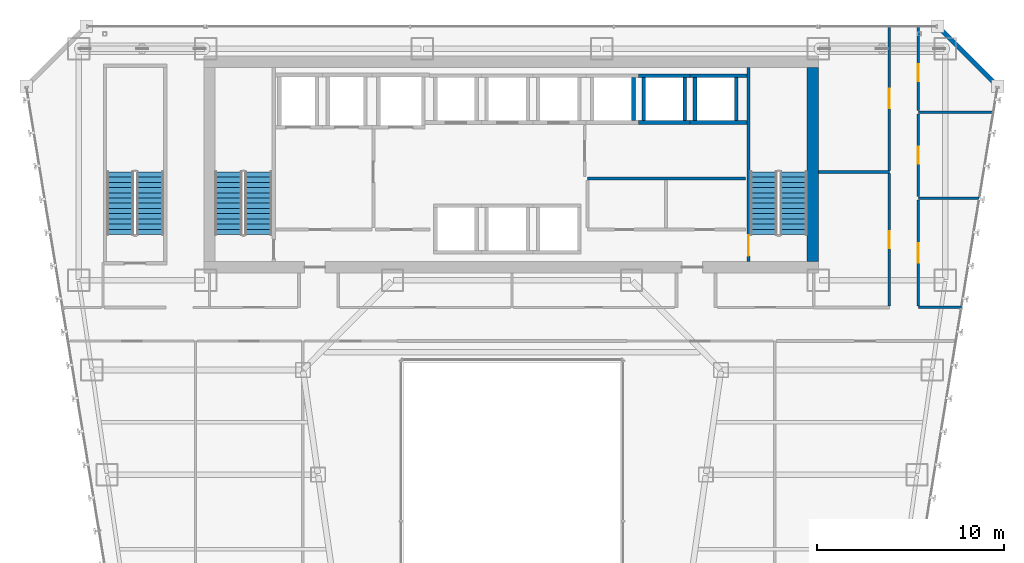
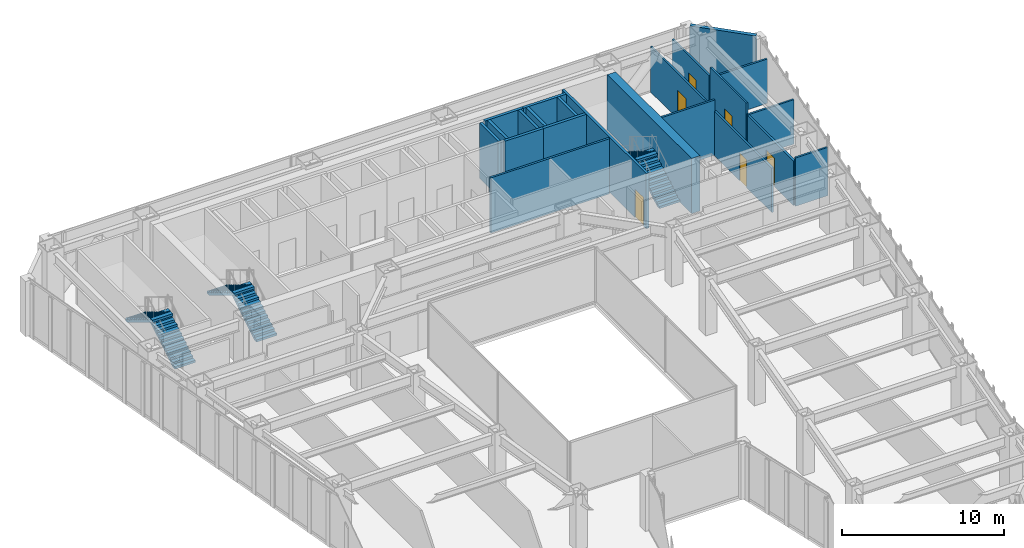
# One storey, part 38 of 47: 22 walls, 6 doors, 6 stair flights, 6 openings, 3 elements without a shape of their own.
"""IFC4 building model written with IfcOpenShell, lengths in metres."""

import ifcopenshell
import ifcopenshell.guid

model = None  # the IFC model being written
_history = None  # IfcOwnerHistory: only IFC2X3 demands one
_inside = {}  # id of a spatial element -> (the spatial element, [elements in it])
_under = {}  # id of a project, library or spatial element -> (it, [spatial elements below it])
_declared = {}  # id of a project -> (the project, [libraries it declares])
_typed = {}  # id of a type object -> (the type object, [elements of that type])
_made_of = {}  # id of a material, layer set ... -> (it, [elements and type objects made of it])


def new_model(schema):
    """Start an empty IFC model of exactly this schema.

    Asked for "IFC4X3", IfcOpenShell would pick the latest addendum, in which some entities
    have other attributes; the version numbers below select the first issue.
    IFC2X3 requires an IfcOwnerHistory on every rooted entity: one is made here for all.
    """
    global model, _history
    if schema == "IFC4X3":
        model = ifcopenshell.file(schema_version=(4, 3, 0, 0))
    else:
        model = ifcopenshell.file(schema=schema)
    _inside.clear()
    _under.clear()
    _declared.clear()
    _typed.clear()
    _made_of.clear()
    _history = None
    if model.schema == "IFC2X3":
        org = make("IfcOrganization", Name="unknown")
        user = make(
            "IfcPersonAndOrganization",
            ThePerson=make("IfcPerson", FamilyName="unknown"),
            TheOrganization=org,
        )
        app = make(
            "IfcApplication",
            ApplicationDeveloper=org,
            Version="unknown",
            ApplicationFullName="unknown",
            ApplicationIdentifier="unknown",
        )
        _history = make(
            "IfcOwnerHistory",
            OwningUser=user,
            OwningApplication=app,
            ChangeAction="ADDED",
            CreationDate=0,
        )
    return model


def make(cls, **values):
    """One entity of the class cls with the attributes given. An attribute that is None is left unset."""
    return model.create_entity(
        cls, **{name: value for name, value in values.items() if value is not None}
    )


def rooted(cls, **values):
    """An entity with a GlobalId (a new one), such as an element, a storey or a relation."""
    return make(cls, GlobalId=ifcopenshell.guid.new(), OwnerHistory=_history, **values)


def si_unit(unit_type, name, prefix=None):
    """IfcSIUnit, for example si_unit("LENGTHUNIT", "METRE", prefix="MILLI")."""
    return make("IfcSIUnit", UnitType=unit_type, Prefix=prefix, Name=name)


def assignment(units):
    """IfcUnitAssignment: the units of a project."""
    return None if units is None else make("IfcUnitAssignment", Units=units)


def point(xyz):
    """IfcCartesianPoint."""
    return None if xyz is None else make("IfcCartesianPoint", Coordinates=xyz)


def direction(xyz):
    """IfcDirection."""
    return None if xyz is None else make("IfcDirection", DirectionRatios=xyz)


def frame(location, z_axis=None, x_axis=None):
    """IfcAxis2Placement3D, a coordinate frame: its origin and axes. An axis left out is left unset."""
    return make(
        "IfcAxis2Placement3D",
        Location=point(location),
        Axis=direction(z_axis),
        RefDirection=direction(x_axis),
    )


def frame_2d(location, x_axis=None):
    """IfcAxis2Placement2D, a coordinate frame in the plane: its origin and x axis."""
    return make(
        "IfcAxis2Placement2D", Location=point(location), RefDirection=direction(x_axis)
    )


def origin():
    """The frame at (0, 0, 0) with its axes left unset."""
    return frame((0.0, 0.0, 0.0))


def place(relative_to, where):
    """IfcLocalPlacement: puts the frame where relative to a parent placement (None: the world)."""
    return make(
        "IfcLocalPlacement", PlacementRelTo=relative_to, RelativePlacement=where
    )


def context(
    kind, dimensions, precision=None, world=None, true_north=None, identifier=None
):
    """IfcGeometricRepresentationContext, for example the 3D "Model" context."""
    return make(
        "IfcGeometricRepresentationContext",
        ContextIdentifier=identifier,
        ContextType=kind,
        CoordinateSpaceDimension=dimensions,
        Precision=precision,
        WorldCoordinateSystem=world,
        TrueNorth=true_north,
    )


def subcontext(parent, identifier, kind, view, scale=None):
    """IfcGeometricRepresentationSubContext, for example "Body" below "Model"."""
    return make(
        "IfcGeometricRepresentationSubContext",
        ContextIdentifier=identifier,
        ContextType=kind,
        ParentContext=parent,
        TargetScale=scale,
        TargetView=view,
    )


def project(units=None, contexts=None):
    """IfcProject with its units and contexts."""
    return rooted(
        "IfcProject",
        Name="project",
        RepresentationContexts=contexts,
        UnitsInContext=assignment(units),
    )


def spatial(cls, under=None, at=None, **own):
    """A site, building, storey or space (cls), placed at a placement, below another one or the project."""
    s = rooted(cls, ObjectPlacement=at, **own)
    if under is not None:
        _under.setdefault(under.id(), (under, []))[1].append(s)
    return s


def polyline(points):
    """IfcPolyline through the points."""
    return make("IfcPolyline", Points=[point(p) for p in points])


def profile(cls, at=None, kind="AREA", **sizes):
    """A parametric profile (cls). Its sizes go by their IFC names, for example OverallWidth=200.0."""
    return make(cls, ProfileType=kind, Position=at, **sizes)


def rectangle(**sizes):
    """IfcRectangleProfileDef."""
    return profile("IfcRectangleProfileDef", **sizes)


def outline(outer, holes=None, kind="AREA"):
    """IfcArbitraryClosedProfileDef: a profile drawn as a closed curve; with holes, ...WithVoids."""
    if holes is None:
        return make("IfcArbitraryClosedProfileDef", ProfileType=kind, OuterCurve=outer)
    return make(
        "IfcArbitraryProfileDefWithVoids",
        ProfileType=kind,
        OuterCurve=outer,
        InnerCurves=holes,
    )


def extrude(swept, where, along, depth):
    """IfcExtrudedAreaSolid: the profile swept, set in the frame where, extruded along a direction by depth."""
    return make(
        "IfcExtrudedAreaSolid",
        SweptArea=swept,
        Position=where,
        ExtrudedDirection=direction(along),
        Depth=depth,
    )


def shape(context_of_items, identifier, shape_type, items):
    """IfcShapeRepresentation: the items that make up one representation, for example the "Body"."""
    return make(
        "IfcShapeRepresentation",
        ContextOfItems=context_of_items,
        RepresentationIdentifier=identifier,
        RepresentationType=shape_type,
        Items=items,
    )


def material(Name=None, Category=None):
    """IfcMaterial."""
    return make("IfcMaterial", Name=Name, Category=Category)


def layer(
    of_material, thickness, ventilated=None, Name=None, Category=None, Priority=None
):
    """IfcMaterialLayer: one layer of a wall or slab, of a material (None: an air gap)."""
    return make(
        "IfcMaterialLayer",
        Material=of_material,
        LayerThickness=thickness,
        IsVentilated=ventilated,
        Name=Name,
        Category=Category,
        Priority=Priority,
    )


def layer_set(layers, Name=None):
    """IfcMaterialLayerSet."""
    return make("IfcMaterialLayerSet", MaterialLayers=layers, LayerSetName=Name)


def made_of(thing, what):
    """Note that an element or type object is made of a material, layer set ...; save() writes the relation."""
    if what is not None:
        _made_of.setdefault(what.id(), (what, []))[1].append(thing)
    return thing


def type_object(cls, material=None, **own):
    """A type object (cls), such as IfcWallType, which elements share."""
    return made_of(rooted(cls, **own), material)


def element(
    cls,
    number,
    at=None,
    inside=None,
    cuts=None,
    type_object=None,
    material=None,
    context=None,
    identifier="Body",
    shape_type=None,
    held_by="IfcProductDefinitionShape",
    body=None,
    shapes=None,
    **own,
):
    """One element of the class cls, such as IfcWall. Its Tag is "e" and its number.

    at: its placement. inside: the storey or other place that contains it. cuts: it is an
    opening in that element (IfcRelVoidsElement). A single representation is given by context,
    identifier, shape_type and body (its items); several are given by shapes. held_by: the class
    of the entity that holds the representations. save() writes the other relations.
    """
    e = rooted(cls, Tag="e%d" % number, ObjectPlacement=at, **own)
    if body is not None:
        shapes = [shape(context, identifier, shape_type, body)]
    if shapes is not None:
        e.Representation = make(held_by, Representations=shapes)
    if inside is not None:
        _inside.setdefault(inside.id(), (inside, []))[1].append(e)
    if cuts is not None:
        rooted(
            "IfcRelVoidsElement", RelatingBuildingElement=cuts, RelatedOpeningElement=e
        )
    if type_object is not None:
        _typed.setdefault(type_object.id(), (type_object, []))[1].append(e)
    return made_of(e, material)


def fill(opening, filler):
    """IfcRelFillsElement: the door or window that sits in an opening."""
    return rooted(
        "IfcRelFillsElement",
        RelatingOpeningElement=opening,
        RelatedBuildingElement=filler,
    )


def aggregate(whole, parts):
    """IfcRelAggregates: a whole, such as a stair, and the parts it consists of."""
    return rooted("IfcRelAggregates", RelatingObject=whole, RelatedObjects=parts)


def save(model, path):
    """Write the relations noted so far, then the file.

    IfcRelAggregates (storeys below a building ...), IfcRelContainedInSpatialStructure (elements
    in a storey), IfcRelDefinesByType, IfcRelAssociatesMaterial and IfcRelDeclares: one each for
    every whole, place, type object, material and project.
    """
    for whole, parts in _under.values():
        aggregate(whole, parts)
    for where, things in _inside.values():
        rooted(
            "IfcRelContainedInSpatialStructure",
            RelatedElements=things,
            RelatingStructure=where,
        )
    for kind, things in _typed.values():
        rooted("IfcRelDefinesByType", RelatedObjects=things, RelatingType=kind)
    for what, things in _made_of.values():
        rooted("IfcRelAssociatesMaterial", RelatedObjects=things, RelatingMaterial=what)
    for by, libraries in _declared.values():
        rooted("IfcRelDeclares", RelatingContext=by, RelatedDefinitions=libraries)
    model.write(path)


model = new_model("IFC4")

# Units and contexts
model_context = context("Model", 3, precision=1e-05, world=origin(), true_north=direction((0.0, 1.0)))
body_context = subcontext(model_context, "Body", "Model", "MODEL_VIEW")
ifc_project = project(units=[si_unit("LENGTHUNIT", "METRE"), si_unit("AREAUNIT", "SQUARE_METRE"), si_unit("VOLUMEUNIT", "CUBIC_METRE"), si_unit("PLANEANGLEUNIT", "RADIAN"), si_unit("MASSUNIT", "GRAM", prefix="KILO")], contexts=[model_context])

# Site, building, storey
site_placement = place(None, origin())
site = spatial("IfcSite", under=ifc_project, at=site_placement, CompositionType="ELEMENT")
building_placement = place(site_placement, origin())
building = spatial("IfcBuilding", under=site, at=building_placement, Name="Saevonmaru Cultural Tower", CompositionType="ELEMENT")
storey_placement = place(building_placement, frame((0.0, 0.0, 51.60009765625)))
storey = spatial("IfcBuildingStorey", under=building, at=storey_placement, Name="L10", CompositionType="ELEMENT", Elevation=51.60009765625)

# Walls
ifc_material_1 = material(Name="Concrete C60/75", Category="concrete")
ifc_layer_1 = layer(ifc_material_1, 0.60009765625, Name="Concrete C60/75")
ifc_layer_set_1 = layer_set([ifc_layer_1], Name="Concrete C60/75")
wall_type_1 = type_object("IfcWallType", Name="WL-CORE-600", PredefinedType="SHEAR", material=ifc_layer_set_1)
wall_1_placement = place(storey_placement, frame((46.10009765625, 43.39990234375, 0.0), z_axis=(0.0, 0.0, 1.0), x_axis=(0.0, 1.0, 0.0)))
element("IfcWall", 1, at=wall_1_placement, inside=storey, type_object=wall_type_1, Name="L10 Tower RC core shear wall E", PredefinedType="SHEAR", context=body_context, shape_type="SweptSolid", body=[
    extrude(rectangle(XDim=10.400146484375, YDim=0.60009765625, at=frame_2d((5.2001953125, 0.0))), origin(), (0.0, 0.0, 1.0), 4.14990234375),
])
ifc_material_2 = material(Name="Gypsum Fireboard Partition", Category="gypsum")
ifc_layer_2 = layer(ifc_material_2, 0.14990234375, Name="Gypsum Fireboard Partition")
ifc_layer_set_2 = layer_set([ifc_layer_2], Name="Gypsum Fireboard Partition")
wall_type_2 = type_object("IfcWallType", Name="WL-CORE-PART-150", PredefinedType="PARTITIONING", material=ifc_layer_set_2)
wall_2_placement = place(storey_placement, frame((34.050048828125, 47.85009765625, 0.0), z_axis=(0.0, 0.0, 1.0), x_axis=(1.0, 0.0, 0.0)))
element("IfcWall", 2, at=wall_2_placement, inside=storey, type_object=wall_type_2, Name="L10 Core Plant North Wall", PredefinedType="PARTITIONING", context=body_context, shape_type="SweptSolid", body=[
    extrude(rectangle(XDim=8.449951171875, YDim=0.14990234375, at=frame_2d((4.22509765625, 0.0))), origin(), (0.0, 0.0, 1.0), 4.14990234375),
])
ifc_material_3 = material(Name="Granite-Clad Precast Concrete C40/50", Category="masonry")
ifc_layer_3 = layer(ifc_material_3, 0.260009765625, Name="Granite-Clad Precast Concrete C40/50")
ifc_layer_set_3 = layer_set([ifc_layer_3], Name="Granite-Clad Precast Concrete C40/50")
wall_type_3 = type_object("IfcWallType", Name="WL-EXT-SPANDREL-260", PredefinedType="STANDARD", material=ifc_layer_set_3)
wall_3_placement = place(storey_placement, frame((55.886962890625, 52.9130859375, 0.0), z_axis=(0.0, 0.0, 1.0), x_axis=(-0.707106781187, 0.707106781187, 0.0)))
element("IfcWall", 3, at=wall_3_placement, inside=storey, type_object=wall_type_3, Name="L10 Chamfer Corner Spandrel Wall E9", PredefinedType="STANDARD", context=body_context, shape_type="SweptSolid", body=[
    extrude(rectangle(XDim=4.205810546875, YDim=0.260009765625, at=frame_2d((2.10302734375, 0.0))), origin(), (0.0, 0.0, 1.0), 4.14990234375),
])

# Wall, opening, door
ifc_layer_4 = layer(ifc_material_2, 0.14990234375, Name="Gypsum Fireboard Partition")
ifc_layer_set_4 = layer_set([ifc_layer_4], Name="Gypsum Fireboard Partition")
wall_type_4 = type_object("IfcWallType", Name="WL-PART-FIRE-150", PredefinedType="PARTITIONING", material=ifc_layer_set_4)
wall_4_placement = place(storey_placement, frame((51.75, 41.03759765625, 0.0), z_axis=(0.0, 0.0, 1.0), x_axis=(0.0, 1.0, 0.0)))
wall_4 = element("IfcWall", 4, at=wall_4_placement, inside=storey, type_object=wall_type_4, Name="L10 Special Collections Gallery Corridor Wall", PredefinedType="PARTITIONING", context=body_context, shape_type="SweptSolid", body=[
    extrude(rectangle(XDim=5.6748046875, YDim=0.14990234375, at=frame_2d((2.83740234375, 0.0))), origin(), (0.0, 0.0, 1.0), 3.3349609375),
])
opening_1_placement = place(wall_4_placement, frame((2.31201171875, 0.0, 0.0)))
opening_1 = element("IfcOpeningElement", 5, at=opening_1_placement, cuts=wall_4, Name="Opening ID-1", PredefinedType="OPENING", context=body_context, shape_type="SweptSolid", body=[
    extrude(rectangle(XDim=1.050048828125, YDim=2.14990234375, at=frame_2d((0.52490234375, 1.074951171875))), frame((0.0, 0.0849609375, 0.0), z_axis=(0.0, -1.0, 0.0), x_axis=(1.0, 0.0, 0.0)), (0.0, 0.0, 1.0), 0.169921875),
])
ifc_material_4 = material(Name="Satin Bronze Anodised Aluminium", Category="aluminium")
door_type_1 = type_object("IfcDoorType", Name="DR-INT-1050", OperationType="SINGLE_SWING_LEFT", PredefinedType="DOOR", material=ifc_material_4)
door_1_placement = place(opening_1_placement, origin())
door_1 = element("IfcDoor", 6, at=door_1_placement, inside=storey, type_object=door_type_1, Name="L10 Special Collections Gallery Door", OperationType="SINGLE_SWING_RIGHT", OverallHeight=2.14990234375, OverallWidth=1.050048828125, PredefinedType="DOOR", context=body_context, shape_type="SweptSolid", body=[
    extrude(rectangle(XDim=1.050048828125, YDim=2.14990234375, at=frame_2d((0.52490234375, 1.074951171875))), frame((0.0, 0.02490234375, 0.0), z_axis=(0.0, -1.0, 0.0), x_axis=(1.0, 0.0, 0.0)), (0.0, 0.0, 1.0), 0.050048828125),
])
fill(opening_1, door_1)

ifc_layer_5 = layer(ifc_material_2, 0.1201171875, Name="Gypsum Fireboard Partition")
ifc_layer_set_5 = layer_set([ifc_layer_5], Name="Gypsum Fireboard Partition")
wall_type_5 = type_object("IfcWallType", Name="WL-PART-GYP-120", PredefinedType="PARTITIONING", material=ifc_layer_set_5)
wall_5_placement = place(storey_placement, frame((50.199951171875, 48.2900390625, 0.0), z_axis=(0.0, 0.0, 1.0), x_axis=(0.0, 1.0, 0.0)))
wall_5 = element("IfcWall", 7, at=wall_5_placement, inside=storey, type_object=wall_type_5, Name="L10 Rare Manuscript Reading Room Corridor Wall", PredefinedType="PARTITIONING", context=body_context, shape_type="SweptSolid", body=[
    extrude(rectangle(XDim=7.705078125, YDim=0.1201171875, at=frame_2d((3.8525390625, 0.0))), origin(), (0.0, 0.0, 1.0), 3.434814453125),
])
opening_2_placement = place(wall_5_placement, frame((3.326904296875, 0.0, 0.0)))
opening_2 = element("IfcOpeningElement", 8, at=opening_2_placement, cuts=wall_5, Name="Opening ID-1", PredefinedType="OPENING", context=body_context, shape_type="SweptSolid", body=[
    extrude(rectangle(XDim=1.050048828125, YDim=2.14990234375, at=frame_2d((0.52490234375, 1.074951171875))), frame((0.0, 0.070068359375, 0.0), z_axis=(0.0, -1.0, 0.0), x_axis=(1.0, 0.0, 0.0)), (0.0, 0.0, 1.0), 0.14013671875),
])
door_2_placement = place(opening_2_placement, origin())
door_2 = element("IfcDoor", 9, at=door_2_placement, inside=storey, type_object=door_type_1, Name="L10 Rare Manuscript Reading Room Door", OperationType="SINGLE_SWING_LEFT", OverallHeight=2.14990234375, OverallWidth=1.050048828125, PredefinedType="DOOR", context=body_context, shape_type="SweptSolid", body=[
    extrude(rectangle(XDim=1.050048828125, YDim=2.14990234375, at=frame_2d((0.52490234375, 1.074951171875))), frame((0.0, 0.02490234375, 0.0), z_axis=(0.0, -1.0, 0.0), x_axis=(1.0, 0.0, 0.0)), (0.0, 0.0, 1.0), 0.050048828125),
])
fill(opening_2, door_2)

wall_6_placement = place(storey_placement, frame((51.75, 46.887451171875, 0.0), z_axis=(0.0, 0.0, 1.0), x_axis=(0.0, 1.0, 0.0)))
wall_6 = element("IfcWall", 10, at=wall_6_placement, inside=storey, type_object=wall_type_5, Name="L10 Scholarly Colloquium Meeting Room Corridor Wall", PredefinedType="PARTITIONING", context=body_context, shape_type="SweptSolid", body=[
    extrude(rectangle(XDim=4.425048828125, YDim=0.1201171875, at=frame_2d((2.21240234375, 0.0))), origin(), (0.0, 0.0, 1.0), 4.14990234375),
])
opening_3_placement = place(wall_6_placement, frame((1.761962890625, 0.0, 0.0)))
opening_3 = element("IfcOpeningElement", 11, at=opening_3_placement, cuts=wall_6, Name="Opening ID-2", PredefinedType="OPENING", context=body_context, shape_type="SweptSolid", body=[
    extrude(rectangle(XDim=0.89990234375, YDim=2.10009765625, at=frame_2d((0.449951171875, 1.050048828125))), frame((0.0, 0.070068359375, 0.0), z_axis=(0.0, -1.0, 0.0), x_axis=(1.0, 0.0, 0.0)), (0.0, 0.0, 1.0), 0.14013671875),
])
ifc_material_5 = material(Name="Acoustic Stained Oak Timber", Category="wood")
door_type_2 = type_object("IfcDoorType", Name="DR-INT-900", OperationType="SINGLE_SWING_RIGHT", PredefinedType="DOOR", material=ifc_material_5)
door_3_placement = place(opening_3_placement, origin())
door_3 = element("IfcDoor", 12, at=door_3_placement, inside=storey, type_object=door_type_2, Name="L10 Scholarly Colloquium Meeting Room Door", OperationType="SINGLE_SWING_LEFT", OverallHeight=2.10009765625, OverallWidth=0.89990234375, PredefinedType="DOOR", context=body_context, shape_type="SweptSolid", body=[
    extrude(rectangle(XDim=0.89990234375, YDim=2.10009765625, at=frame_2d((0.449951171875, 1.050048828125))), frame((0.0, 0.02490234375, 0.0), z_axis=(0.0, -1.0, 0.0), x_axis=(1.0, 0.0, 0.0)), (0.0, 0.0, 1.0), 0.050048828125),
])
fill(opening_3, door_3)

wall_7_placement = place(storey_placement, frame((51.75, 51.487548828125, 0.0), z_axis=(0.0, 0.0, 1.0), x_axis=(0.0, 1.0, 0.0)))
wall_7 = element("IfcWall", 13, at=wall_7_placement, inside=storey, type_object=wall_type_5, Name="L10 Digital Humanities Office Corridor Wall", PredefinedType="PARTITIONING", context=body_context, shape_type="SweptSolid", body=[
    extrude(rectangle(XDim=4.507568359375, YDim=0.1201171875, at=frame_2d((2.25390625, 0.0))), origin(), (0.0, 0.0, 1.0), 3.434814453125),
])
opening_4_placement = place(wall_7_placement, frame((1.583984375, 0.0, 0.0)))
opening_4 = element("IfcOpeningElement", 14, at=opening_4_placement, cuts=wall_7, Name="Opening ID-2", PredefinedType="OPENING", context=body_context, shape_type="SweptSolid", body=[
    extrude(rectangle(XDim=0.89990234375, YDim=2.10009765625, at=frame_2d((0.449951171875, 1.050048828125))), frame((0.0, 0.070068359375, 0.0), z_axis=(0.0, -1.0, 0.0), x_axis=(1.0, 0.0, 0.0)), (0.0, 0.0, 1.0), 0.14013671875),
])
door_4_placement = place(opening_4_placement, origin())
door_4 = element("IfcDoor", 15, at=door_4_placement, inside=storey, type_object=door_type_2, Name="L10 Digital Humanities Office Door", OperationType="SINGLE_SWING_RIGHT", OverallHeight=2.10009765625, OverallWidth=0.89990234375, PredefinedType="DOOR", context=body_context, shape_type="SweptSolid", body=[
    extrude(rectangle(XDim=0.89990234375, YDim=2.10009765625, at=frame_2d((0.449951171875, 1.050048828125))), frame((0.0, 0.02490234375, 0.0), z_axis=(0.0, -1.0, 0.0), x_axis=(1.0, 0.0, 0.0)), (0.0, 0.0, 1.0), 0.050048828125),
])
fill(opening_4, door_4)

# Walls
ifc_layer_6 = layer(ifc_material_2, 0.135009765625, Name="Gypsum Fireboard Partition")
ifc_layer_set_6 = layer_set([ifc_layer_6], Name="Gypsum Fireboard Partition")
wall_type_6 = type_object("IfcWallType", Name="WL-PART-GYP-135", PredefinedType="PARTITIONING", material=ifc_layer_set_6)
wall_8_placement = place(storey_placement, frame((51.75, 40.949951171875, 0.0), z_axis=(0.0, 0.0, 1.0), x_axis=(1.0, 0.0, 0.0)))
element("IfcWall", 16, at=wall_8_placement, inside=storey, type_object=wall_type_6, Name="L10 NE Wing South Wall", PredefinedType="PARTITIONING", context=body_context, shape_type="SweptSolid", body=[
    extrude(rectangle(XDim=2.302978515625, YDim=0.135009765625, at=frame_2d((1.1513671875, 0.0))), origin(), (0.0, 0.0, 1.0), 3.635009765625),
])
wall_9_placement = place(storey_placement, frame((51.75, 46.800048828125, 0.0), z_axis=(0.0, 0.0, 1.0), x_axis=(1.0, 0.0, 0.0)))
element("IfcWall", 17, at=wall_9_placement, inside=storey, type_object=wall_type_6, Name="L10 NE Studio Divider 1", PredefinedType="PARTITIONING", context=body_context, shape_type="SweptSolid", body=[
    extrude(rectangle(XDim=3.26171875, YDim=0.135009765625, at=frame_2d((1.630859375, 0.0))), origin(), (0.0, 0.0, 1.0), 3.3349609375),
])
wall_10_placement = place(storey_placement, frame((51.75, 51.39990234375, 0.0), z_axis=(0.0, 0.0, 1.0), x_axis=(1.0, 0.0, 0.0)))
element("IfcWall", 18, at=wall_10_placement, inside=storey, type_object=wall_type_6, Name="L10 NE Studio Divider 2", PredefinedType="PARTITIONING", context=body_context, shape_type="SweptSolid", body=[
    extrude(rectangle(XDim=4.015380859375, YDim=0.135009765625, at=frame_2d((2.0078125, 0.0))), origin(), (0.0, 0.0, 1.0), 3.3349609375),
])
ifc_layer_7 = layer(ifc_material_2, 0.139892578125, Name="Gypsum Fireboard Partition")
ifc_layer_set_7 = layer_set([ifc_layer_7], Name="Gypsum Fireboard Partition")
wall_type_7 = type_object("IfcWallType", Name="WL-PART-WET-140", PredefinedType="PARTITIONING", material=ifc_layer_set_7)
wall_11_placement = place(storey_placement, frame((46.419921875, 48.199951171875, 0.0), z_axis=(0.0, 0.0, 1.0), x_axis=(1.0, 0.0, 0.0)))
element("IfcWall", 19, at=wall_11_placement, inside=storey, type_object=wall_type_7, Name="L10 Washroom North Wall", PredefinedType="PARTITIONING", context=body_context, shape_type="SweptSolid", body=[
    extrude(rectangle(XDim=3.780029296875, YDim=0.139892578125, at=frame_2d((1.89013671875, 0.0))), origin(), (0.0, 0.0, 1.0), 4.14990234375),
])

# Wall, opening, door
wall_12_placement = place(storey_placement, frame((50.199951171875, 41.0400390625, 0.0), z_axis=(0.0, 0.0, 1.0), x_axis=(0.0, 1.0, 0.0)))
wall_12 = element("IfcWall", 20, at=wall_12_placement, inside=storey, type_object=wall_type_7, Name="L10 Washroom Corridor Wall", PredefinedType="PARTITIONING", context=body_context, shape_type="SweptSolid", body=[
    extrude(rectangle(XDim=7.070068359375, YDim=0.139892578125, at=frame_2d((3.53515625, 0.0))), origin(), (0.0, 0.0, 1.0), 3.3349609375),
])
opening_5_placement = place(wall_12_placement, frame((3.0849609375, 0.0, 0.0)))
opening_5 = element("IfcOpeningElement", 21, at=opening_5_placement, cuts=wall_12, Name="Opening ID-2", PredefinedType="OPENING", context=body_context, shape_type="SweptSolid", body=[
    extrude(rectangle(XDim=0.89990234375, YDim=2.10009765625, at=frame_2d((0.449951171875, 1.050048828125))), frame((0.0, 0.080078125, 0.0), z_axis=(0.0, -1.0, 0.0), x_axis=(1.0, 0.0, 0.0)), (0.0, 0.0, 1.0), 0.159912109375),
])
door_5_placement = place(opening_5_placement, origin())
door_5 = element("IfcDoor", 22, at=door_5_placement, inside=storey, type_object=door_type_2, Name="L10 Public Accessible Washrooms Door", OperationType="SINGLE_SWING_RIGHT", OverallHeight=2.10009765625, OverallWidth=0.89990234375, PredefinedType="DOOR", context=body_context, shape_type="SweptSolid", body=[
    extrude(rectangle(XDim=0.89990234375, YDim=2.10009765625, at=frame_2d((0.449951171875, 1.050048828125))), frame((0.0, 0.02490234375, 0.0), z_axis=(0.0, -1.0, 0.0), x_axis=(1.0, 0.0, 0.0)), (0.0, 0.0, 1.0), 0.050048828125),
])
fill(opening_5, door_5)

# Walls
ifc_material_6 = material(Name="Concrete C40/50", Category="concrete")
ifc_layer_8 = layer(ifc_material_6, 0.199951171875, Name="Concrete C40/50")
ifc_layer_set_8 = layer_set([ifc_layer_8], Name="Concrete C40/50")
wall_type_8 = type_object("IfcWallType", Name="WL-SHAFT-200", PredefinedType="SHEAR", material=ifc_layer_set_8)
wall_13_placement = place(storey_placement, frame((36.5, 50.949951171875, 0.0), z_axis=(0.0, 0.0, 1.0), x_axis=(0.0, 1.0, 0.0)))
element("IfcWall", 23, at=wall_13_placement, inside=storey, type_object=wall_type_8, Name="L10 Lift PL-H1 Hoistway Wall E", PredefinedType="SHEAR", context=body_context, shape_type="SweptSolid", body=[
    extrude(rectangle(XDim=2.300048828125, YDim=0.199951171875, at=frame_2d((1.14990234375, 0.0))), origin(), (0.0, 0.0, 1.0), 4.14990234375),
])
for number, where, z_axis, x_axis, name in (
    (24, (36.77490234375, 50.85009765625, 0.0), (0.0, 0.0, 1.0), (1.0, 0.0, 0.0), "L10 Lift PL-H2 Hoistway Wall S"),
    (25, (36.77490234375, 53.35009765625, 0.0), (0.0, 0.0, 1.0), (1.0, 0.0, 0.0), "L10 Lift PL-H2 Hoistway Wall N"),
):
    element("IfcWall", number, at=place(storey_placement, frame(where, z_axis=z_axis, x_axis=x_axis)), inside=storey, type_object=wall_type_8, Name=name, PredefinedType="SHEAR", context=body_context, shape_type="SweptSolid", body=[
        extrude(rectangle(XDim=2.75, YDim=0.199951171875, at=frame_2d((1.375, 0.0))), origin(), (0.0, 0.0, 1.0), 4.14990234375),
    ])
for number, where, z_axis, x_axis, name in (
    (26, (37.050048828125, 50.949951171875, 0.0), (0.0, 0.0, 1.0), (0.0, 1.0, 0.0), "L10 Lift PL-H2 Hoistway Wall W"),
    (27, (39.25, 50.949951171875, 0.0), (0.0, 0.0, 1.0), (0.0, 1.0, 0.0), "L10 Lift PL-H2 Hoistway Wall E"),
):
    element("IfcWall", number, at=place(storey_placement, frame(where, z_axis=z_axis, x_axis=x_axis)), inside=storey, type_object=wall_type_8, Name=name, PredefinedType="SHEAR", context=body_context, shape_type="SweptSolid", body=[
        extrude(rectangle(XDim=2.300048828125, YDim=0.199951171875, at=frame_2d((1.14990234375, 0.0))), origin(), (0.0, 0.0, 1.0), 4.14990234375),
    ])
for number, where, z_axis, x_axis, name in (
    (28, (39.52490234375, 50.85009765625, 0.0), (0.0, 0.0, 1.0), (1.0, 0.0, 0.0), "L10 Lift PL-H3 Hoistway Wall S"),
    (29, (39.52490234375, 53.35009765625, 0.0), (0.0, 0.0, 1.0), (1.0, 0.0, 0.0), "L10 Lift PL-H3 Hoistway Wall N"),
):
    element("IfcWall", number, at=place(storey_placement, frame(where, z_axis=z_axis, x_axis=x_axis)), inside=storey, type_object=wall_type_8, Name=name, PredefinedType="SHEAR", context=body_context, shape_type="SweptSolid", body=[
        extrude(rectangle(XDim=3.045166015625, YDim=0.199951171875, at=frame_2d((1.5224609375, 0.0))), origin(), (0.0, 0.0, 1.0), 4.14990234375),
    ])
for number, where, z_axis, x_axis, name in (
    (30, (39.800048828125, 50.949951171875, 0.0), (0.0, 0.0, 1.0), (0.0, 1.0, 0.0), "L10 Lift PL-H3 Hoistway Wall W"),
    (31, (42.0, 50.949951171875, 0.0), (0.0, 0.0, 1.0), (0.0, 1.0, 0.0), "L10 Lift PL-H3 Hoistway Wall E"),
):
    element("IfcWall", number, at=place(storey_placement, frame(where, z_axis=z_axis, x_axis=x_axis)), inside=storey, type_object=wall_type_8, Name=name, PredefinedType="SHEAR", context=body_context, shape_type="SweptSolid", body=[
        extrude(rectangle(XDim=2.300048828125, YDim=0.199951171875, at=frame_2d((1.14990234375, 0.0))), origin(), (0.0, 0.0, 1.0), 4.14990234375),
    ])

# Wall, opening, door
ifc_layer_9 = layer(ifc_material_6, 0.179931640625, Name="Concrete C40/50")
ifc_layer_set_9 = layer_set([ifc_layer_9], Name="Concrete C40/50")
wall_type_9 = type_object("IfcWallType", Name="WL-STSHAFT-180", PredefinedType="SHEAR", material=ifc_layer_set_9)
wall_14_placement = place(storey_placement, frame((42.659912109375, 53.800048828125, 0.0), z_axis=(0.0, 0.0, 1.0), x_axis=(0.0, -1.0, 0.0)))
wall_14 = element("IfcWall", 32, at=wall_14_placement, inside=storey, type_object=wall_type_9, Name="L10 Stair ST-2 Structural Shaft Wall 1", PredefinedType="SHEAR", context=body_context, shape_type="SweptSolid", body=[
    extrude(rectangle(XDim=10.400146484375, YDim=0.179931640625, at=frame_2d((5.2001953125, 0.0))), origin(), (0.0, 0.0, 1.0), 4.14990234375),
])
opening_6_placement = place(wall_14_placement, frame((8.989990234375, 0.0, 0.0)))
opening_6 = element("IfcOpeningElement", 33, at=opening_6_placement, cuts=wall_14, Name="Opening FD-2", PredefinedType="OPENING", context=body_context, shape_type="SweptSolid", body=[
    extrude(rectangle(XDim=1.10009765625, YDim=2.14990234375, at=frame_2d((0.550048828125, 1.074951171875))), frame((0.0, 0.10009765625, 0.0), z_axis=(0.0, -1.0, 0.0), x_axis=(1.0, 0.0, 0.0)), (0.0, 0.0, 1.0), 0.199951171875),
])
door_type_3 = type_object("IfcDoorType", Name="DR-FD60-1100", OperationType="SINGLE_SWING_LEFT", PredefinedType="DOOR", material=ifc_material_4)
door_6_placement = place(opening_6_placement, origin())
door_6 = element("IfcDoor", 34, at=door_6_placement, inside=storey, type_object=door_type_3, Name="L10 Protected Stair ST-2 Fire Door", OperationType="SINGLE_SWING_LEFT", OverallHeight=2.14990234375, OverallWidth=1.10009765625, PredefinedType="DOOR", context=body_context, shape_type="SweptSolid", body=[
    extrude(rectangle(XDim=1.10009765625, YDim=2.14990234375, at=frame_2d((0.550048828125, 1.074951171875))), frame((0.0, 0.02490234375, 0.0), z_axis=(0.0, -1.0, 0.0), x_axis=(1.0, 0.0, 0.0)), (0.0, 0.0, 1.0), 0.050048828125),
])
fill(opening_6, door_6)

# Stair, stair flights
stair_type = type_object("IfcStairType", Name="STR-DOGLEG-RC", PredefinedType="HALF_TURN_STAIR", material=ifc_material_6)
stair_1_placement = place(storey_placement, origin())
stair_1 = element("IfcStair", 35, at=stair_1_placement, inside=storey, type_object=stair_type, Name="L10 Protected exit stair ST-1", PredefinedType="HALF_TURN_STAIR")
ifc_material_7 = material(Name="Precast concrete C40/50", Category="concrete")
stair_flight_type = type_object("IfcStairFlightType", Name="STF-PRECAST-180", PredefinedType="STRAIGHT", material=ifc_material_7)
stair_flight_1_placement = place(storey_placement, frame((16.425048828125, 44.85009765625, 0.0), z_axis=(0.0, 0.0, 1.0), x_axis=(0.0, 1.0, 0.0)))
stair_flight_1 = element("IfcStairFlight", 36, at=stair_flight_1_placement, type_object=stair_flight_type, Name="ST-1-L10 flight 1", NumberOfRisers=13, NumberOfTreads=12, PredefinedType="STRAIGHT", RiserHeight=0.169230769, TreadLength=0.28, context=body_context, shape_type="SweptSolid", body=[
    extrude(outline(polyline([(0.0, 0.0), (0.0, 0.169189453125), (0.280029296875, 0.169189453125), (0.280029296875, 0.33837890625), (0.56005859375, 0.33837890625), (0.56005859375, 0.5078125), (0.840087890625, 0.5078125), (0.840087890625, 0.677001953125), (1.1201171875, 0.677001953125), (1.1201171875, 0.84619140625), (1.39990234375, 0.84619140625), (1.39990234375, 1.015380859375), (1.679931640625, 1.015380859375), (1.679931640625, 1.1845703125), (1.9599609375, 1.1845703125), (1.9599609375, 1.353759765625), (2.239990234375, 1.353759765625), (2.239990234375, 1.523193359375), (2.52001953125, 1.523193359375), (2.52001953125, 1.6923828125), (2.800048828125, 1.6923828125), (2.800048828125, 1.861572265625), (3.080078125, 1.861572265625), (3.080078125, 2.03076171875), (3.360107421875, 2.03076171875), (3.360107421875, 2.199951171875), (3.360107421875, 1.855712890625), (0.289794921875, 0.0), (0.0, 0.0)])), frame((0.0, 0.72509765625, 0.0), z_axis=(0.0, -1.0, 0.0), x_axis=(1.0, 0.0, 0.0)), (0.0, 0.0, 1.0), 1.449951171875),
])
stair_flight_2_placement = place(storey_placement, frame((14.824951171875, 48.2099609375, 2.199951171875), z_axis=(0.0, 0.0, 1.0), x_axis=(0.0, -1.0, 0.0)))
stair_flight_2 = element("IfcStairFlight", 37, at=stair_flight_2_placement, type_object=stair_flight_type, Name="ST-1-L10 flight 2", NumberOfRisers=13, NumberOfTreads=12, PredefinedType="STRAIGHT", RiserHeight=0.169230769, TreadLength=0.28, context=body_context, shape_type="SweptSolid", body=[
    extrude(outline(polyline([(0.0, 0.0), (0.0, 0.169189453125), (0.280029296875, 0.169189453125), (0.280029296875, 0.33837890625), (0.56005859375, 0.33837890625), (0.56005859375, 0.5078125), (0.840087890625, 0.5078125), (0.840087890625, 0.677001953125), (1.1201171875, 0.677001953125), (1.1201171875, 0.84619140625), (1.39990234375, 0.84619140625), (1.39990234375, 1.015380859375), (1.679931640625, 1.015380859375), (1.679931640625, 1.1845703125), (1.9599609375, 1.1845703125), (1.9599609375, 1.353759765625), (2.239990234375, 1.353759765625), (2.239990234375, 1.523193359375), (2.52001953125, 1.523193359375), (2.52001953125, 1.6923828125), (2.800048828125, 1.6923828125), (2.800048828125, 1.861572265625), (3.080078125, 1.861572265625), (3.080078125, 2.03076171875), (3.360107421875, 2.03076171875), (3.360107421875, 2.199951171875), (3.360107421875, 1.855712890625), (0.289794921875, 0.0), (0.0, 0.0)])), frame((0.0, 0.72509765625, 0.0), z_axis=(0.0, -1.0, 0.0), x_axis=(1.0, 0.0, 0.0)), (0.0, 0.0, 1.0), 1.449951171875),
])
aggregate(stair_1, [stair_flight_1, stair_flight_2])

stair_2_placement = place(storey_placement, origin())
stair_2 = element("IfcStair", 38, at=stair_2_placement, inside=storey, type_object=stair_type, Name="L10 Protected exit stair ST-2", PredefinedType="HALF_TURN_STAIR")
stair_flight_3_placement = place(storey_placement, frame((45.074951171875, 44.85009765625, 0.0), z_axis=(0.0, 0.0, 1.0), x_axis=(0.0, 1.0, 0.0)))
stair_flight_3 = element("IfcStairFlight", 39, at=stair_flight_3_placement, type_object=stair_flight_type, Name="ST-2-L10 flight 1", NumberOfRisers=13, NumberOfTreads=12, PredefinedType="STRAIGHT", RiserHeight=0.169230769, TreadLength=0.28, context=body_context, shape_type="SweptSolid", body=[
    extrude(outline(polyline([(0.0, 0.0), (0.0, 0.169189453125), (0.280029296875, 0.169189453125), (0.280029296875, 0.33837890625), (0.56005859375, 0.33837890625), (0.56005859375, 0.5078125), (0.840087890625, 0.5078125), (0.840087890625, 0.677001953125), (1.1201171875, 0.677001953125), (1.1201171875, 0.84619140625), (1.39990234375, 0.84619140625), (1.39990234375, 1.015380859375), (1.679931640625, 1.015380859375), (1.679931640625, 1.1845703125), (1.9599609375, 1.1845703125), (1.9599609375, 1.353759765625), (2.239990234375, 1.353759765625), (2.239990234375, 1.523193359375), (2.52001953125, 1.523193359375), (2.52001953125, 1.6923828125), (2.800048828125, 1.6923828125), (2.800048828125, 1.861572265625), (3.080078125, 1.861572265625), (3.080078125, 2.03076171875), (3.360107421875, 2.03076171875), (3.360107421875, 2.199951171875), (3.360107421875, 1.855712890625), (0.289794921875, 0.0), (0.0, 0.0)])), frame((0.0, 0.72509765625, 0.0), z_axis=(0.0, -1.0, 0.0), x_axis=(1.0, 0.0, 0.0)), (0.0, 0.0, 1.0), 1.449951171875),
])
stair_flight_4_placement = place(storey_placement, frame((43.47509765625, 48.2099609375, 2.199951171875), z_axis=(0.0, 0.0, 1.0), x_axis=(0.0, -1.0, 0.0)))
stair_flight_4 = element("IfcStairFlight", 40, at=stair_flight_4_placement, type_object=stair_flight_type, Name="ST-2-L10 flight 2", NumberOfRisers=13, NumberOfTreads=12, PredefinedType="STRAIGHT", RiserHeight=0.169230769, TreadLength=0.28, context=body_context, shape_type="SweptSolid", body=[
    extrude(outline(polyline([(0.0, 0.0), (0.0, 0.169189453125), (0.280029296875, 0.169189453125), (0.280029296875, 0.33837890625), (0.56005859375, 0.33837890625), (0.56005859375, 0.5078125), (0.840087890625, 0.5078125), (0.840087890625, 0.677001953125), (1.1201171875, 0.677001953125), (1.1201171875, 0.84619140625), (1.39990234375, 0.84619140625), (1.39990234375, 1.015380859375), (1.679931640625, 1.015380859375), (1.679931640625, 1.1845703125), (1.9599609375, 1.1845703125), (1.9599609375, 1.353759765625), (2.239990234375, 1.353759765625), (2.239990234375, 1.523193359375), (2.52001953125, 1.523193359375), (2.52001953125, 1.6923828125), (2.800048828125, 1.6923828125), (2.800048828125, 1.861572265625), (3.080078125, 1.861572265625), (3.080078125, 2.03076171875), (3.360107421875, 2.03076171875), (3.360107421875, 2.199951171875), (3.360107421875, 1.855712890625), (0.289794921875, 0.0), (0.0, 0.0)])), frame((0.0, 0.72509765625, 0.0), z_axis=(0.0, -1.0, 0.0), x_axis=(1.0, 0.0, 0.0)), (0.0, 0.0, 1.0), 1.449951171875),
])
aggregate(stair_2, [stair_flight_3, stair_flight_4])

stair_3_placement = place(storey_placement, origin())
stair_3 = element("IfcStair", 41, at=stair_3_placement, inside=storey, type_object=stair_type, Name="L10 Protected exit stair ST-3", PredefinedType="HALF_TURN_STAIR")
stair_flight_5_placement = place(storey_placement, frame((10.625, 44.85009765625, 0.0), z_axis=(0.0, 0.0, 1.0), x_axis=(0.0, 1.0, 0.0)))
stair_flight_5 = element("IfcStairFlight", 42, at=stair_flight_5_placement, type_object=stair_flight_type, Name="ST-3-L10 flight 1", NumberOfRisers=13, NumberOfTreads=12, PredefinedType="STRAIGHT", RiserHeight=0.169230769, TreadLength=0.28, context=body_context, shape_type="SweptSolid", body=[
    extrude(outline(polyline([(0.0, 0.0), (0.0, 0.169189453125), (0.280029296875, 0.169189453125), (0.280029296875, 0.33837890625), (0.56005859375, 0.33837890625), (0.56005859375, 0.5078125), (0.840087890625, 0.5078125), (0.840087890625, 0.677001953125), (1.1201171875, 0.677001953125), (1.1201171875, 0.84619140625), (1.39990234375, 0.84619140625), (1.39990234375, 1.015380859375), (1.679931640625, 1.015380859375), (1.679931640625, 1.1845703125), (1.9599609375, 1.1845703125), (1.9599609375, 1.353759765625), (2.239990234375, 1.353759765625), (2.239990234375, 1.523193359375), (2.52001953125, 1.523193359375), (2.52001953125, 1.6923828125), (2.800048828125, 1.6923828125), (2.800048828125, 1.861572265625), (3.080078125, 1.861572265625), (3.080078125, 2.03076171875), (3.360107421875, 2.03076171875), (3.360107421875, 2.199951171875), (3.360107421875, 1.855712890625), (0.289794921875, 0.0), (0.0, 0.0)])), frame((0.0, 0.72509765625, 0.0), z_axis=(0.0, -1.0, 0.0), x_axis=(1.0, 0.0, 0.0)), (0.0, 0.0, 1.0), 1.449951171875),
])
stair_flight_6_placement = place(storey_placement, frame((9.02490234375, 48.2099609375, 2.199951171875), z_axis=(0.0, 0.0, 1.0), x_axis=(0.0, -1.0, 0.0)))
stair_flight_6 = element("IfcStairFlight", 43, at=stair_flight_6_placement, type_object=stair_flight_type, Name="ST-3-L10 flight 2", NumberOfRisers=13, NumberOfTreads=12, PredefinedType="STRAIGHT", RiserHeight=0.169230769, TreadLength=0.28, context=body_context, shape_type="SweptSolid", body=[
    extrude(outline(polyline([(0.0, 0.0), (0.0, 0.169189453125), (0.280029296875, 0.169189453125), (0.280029296875, 0.33837890625), (0.56005859375, 0.33837890625), (0.56005859375, 0.5078125), (0.840087890625, 0.5078125), (0.840087890625, 0.677001953125), (1.1201171875, 0.677001953125), (1.1201171875, 0.84619140625), (1.39990234375, 0.84619140625), (1.39990234375, 1.015380859375), (1.679931640625, 1.015380859375), (1.679931640625, 1.1845703125), (1.9599609375, 1.1845703125), (1.9599609375, 1.353759765625), (2.239990234375, 1.353759765625), (2.239990234375, 1.523193359375), (2.52001953125, 1.523193359375), (2.52001953125, 1.6923828125), (2.800048828125, 1.6923828125), (2.800048828125, 1.861572265625), (3.080078125, 1.861572265625), (3.080078125, 2.03076171875), (3.360107421875, 2.03076171875), (3.360107421875, 2.199951171875), (3.360107421875, 1.855712890625), (0.289794921875, 0.0), (0.0, 0.0)])), frame((0.0, 0.72509765625, 0.0), z_axis=(0.0, -1.0, 0.0), x_axis=(1.0, 0.0, 0.0)), (0.0, 0.0, 1.0), 1.449951171875),
])
aggregate(stair_3, [stair_flight_5, stair_flight_6])

save(model, "model.ifc")
